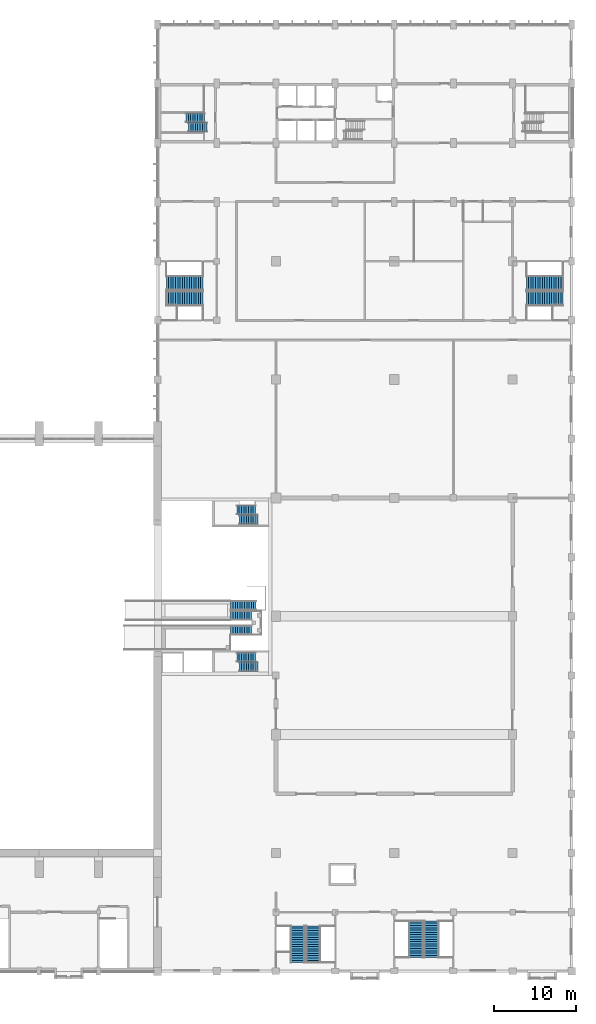
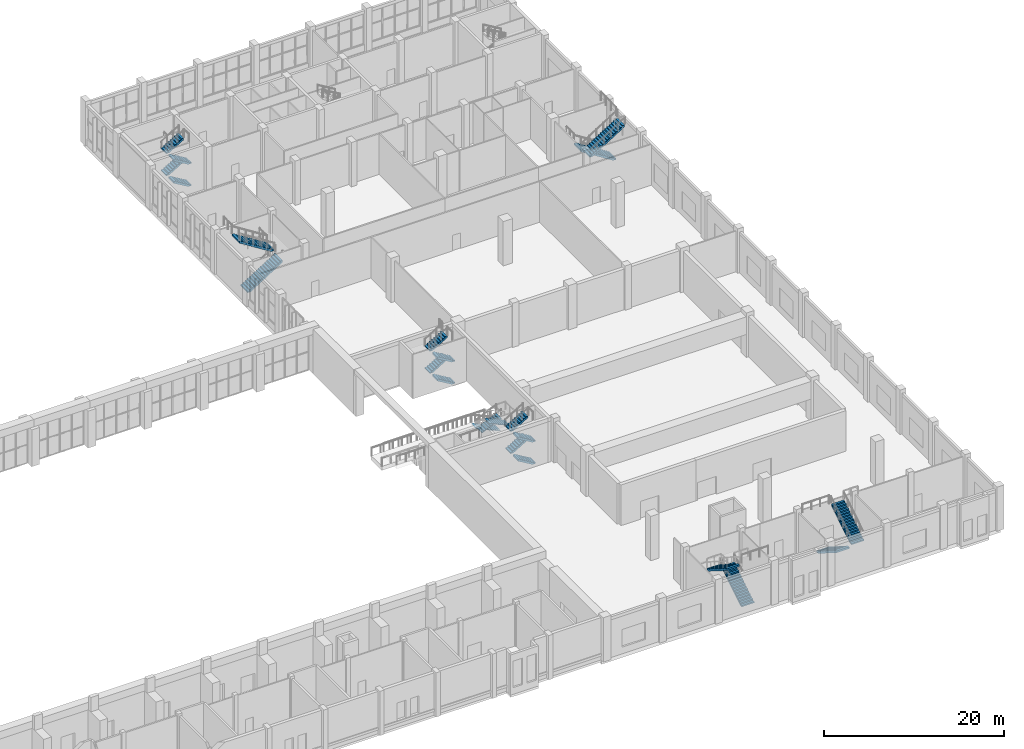
# One storey, part 38 of 44: 23 stair flights, 8 elements without a shape of their own.
"""IFC4 building model written with IfcOpenShell, lengths in metres."""

from ifc_helpers import new_model, si_unit, direction, frame, origin, place, context, subcontext, project, spatial, polyline, outline, extrude, material, type_object, element, aggregate, save


model = new_model("IFC4")

# Units and contexts
model_context = context("Model", 3, precision=1e-05, world=origin(), true_north=direction((0.0, 1.0)))
body_context = subcontext(model_context, "Body", "Model", "MODEL_VIEW")
ifc_project = project(units=[si_unit("LENGTHUNIT", "METRE"), si_unit("AREAUNIT", "SQUARE_METRE"), si_unit("VOLUMEUNIT", "CUBIC_METRE"), si_unit("PLANEANGLEUNIT", "RADIAN"), si_unit("MASSUNIT", "GRAM", prefix="KILO")], contexts=[model_context])

# Site, building, storey
site_placement = place(None, origin())
site = spatial("IfcSite", under=ifc_project, at=site_placement, CompositionType="ELEMENT")
building_placement = place(site_placement, origin())
building = spatial("IfcBuilding", under=site, at=building_placement, Name="Vermilion Court Aquatics Centre", CompositionType="ELEMENT")
storey_placement = place(building_placement, frame((0.0, 0.0, 6.0)))
storey = spatial("IfcBuildingStorey", under=building, at=storey_placement, Name="L01", CompositionType="ELEMENT", Elevation=6.0)

# Stair, stair flights
ifc_material_1 = material(Name="Concrete 5000 psi", Category="concrete")
stair_type_1 = type_object("IfcStairType", Name="Diving Tower stair 1130", PredefinedType="HALF_TURN_STAIR", material=ifc_material_1)
stair_1_placement = place(storey_placement, origin())
stair_1 = element("IfcStair", 1, at=stair_1_placement, inside=storey, type_object=stair_type_1, Name="Exit stair ST-D1 L01", PredefinedType="HALF_TURN_STAIR")
ifc_material_2 = material(Name="Concrete 5000 psi", Category="concrete")
stair_flight_type_1 = type_object("IfcStairFlightType", Name="Diving Tower stair flight 1130", PredefinedType="STRAIGHT", material=ifc_material_2)
stair_flight_1_placement = place(storey_placement, frame((156.199951171875, 37.06494140625, 0.0), z_axis=(0.0, 0.0, 1.0), x_axis=(-1.0, 0.0, 0.0)))
stair_flight_1 = element("IfcStairFlight", 2, at=stair_flight_1_placement, type_object=stair_flight_type_1, Name="ST-D1 flight 1", NumberOfRisers=9, NumberOfTreads=8, PredefinedType="STRAIGHT", RiserHeight=0.166667, TreadLength=0.28, context=body_context, shape_type="SweptSolid", body=[
    extrude(outline(polyline([(0.0, 0.0), (0.0, 0.166748046875), (0.280029296875, 0.166748046875), (0.280029296875, 0.333251953125), (0.56005859375, 0.333251953125), (0.56005859375, 0.5), (0.840087890625, 0.5), (0.840087890625, 0.666748046875), (1.1201171875, 0.666748046875), (1.1201171875, 0.833251953125), (1.39990234375, 0.833251953125), (1.39990234375, 1.0), (1.679931640625, 1.0), (1.679931640625, 1.166748046875), (1.9599609375, 1.166748046875), (1.9599609375, 1.333251953125), (2.239990234375, 1.333251953125), (2.239990234375, 1.5), (2.239990234375, 1.1005859375), (0.390869140625, 0.0), (0.0, 0.0)])), frame((0.0, 0.56494140625, 0.0), z_axis=(0.0, -1.0, 0.0), x_axis=(1.0, 0.0, 0.0)), (0.0, 0.0, 1.0), 1.1298828125),
])
stair_flight_2_placement = place(storey_placement, frame((153.659912109375, 38.235107421875, 1.5), z_axis=(0.0, 0.0, 1.0), x_axis=(1.0, 0.0, 0.0)))
stair_flight_2 = element("IfcStairFlight", 3, at=stair_flight_2_placement, type_object=stair_flight_type_1, Name="ST-D1 flight 2", NumberOfRisers=9, NumberOfTreads=8, PredefinedType="STRAIGHT", RiserHeight=0.166667, TreadLength=0.28, context=body_context, shape_type="SweptSolid", body=[
    extrude(outline(polyline([(0.0, 0.0), (0.0, 0.166748046875), (0.280029296875, 0.166748046875), (0.280029296875, 0.333251953125), (0.56005859375, 0.333251953125), (0.56005859375, 0.5), (0.840087890625, 0.5), (0.840087890625, 0.666748046875), (1.1201171875, 0.666748046875), (1.1201171875, 0.833251953125), (1.39990234375, 0.833251953125), (1.39990234375, 1.0), (1.679931640625, 1.0), (1.679931640625, 1.166748046875), (1.9599609375, 1.166748046875), (1.9599609375, 1.333251953125), (2.239990234375, 1.333251953125), (2.239990234375, 1.5), (2.239990234375, 1.1005859375), (0.390869140625, 0.0), (0.0, 0.0)])), frame((0.0, 0.56494140625, 0.0), z_axis=(0.0, -1.0, 0.0), x_axis=(1.0, 0.0, 0.0)), (0.0, 0.0, 1.0), 1.1298828125),
])
stair_flight_3_placement = place(storey_placement, frame((156.199951171875, 37.06494140625, 3.0), z_axis=(0.0, 0.0, 1.0), x_axis=(-1.0, 0.0, 0.0)))
stair_flight_3 = element("IfcStairFlight", 4, at=stair_flight_3_placement, type_object=stair_flight_type_1, Name="ST-D1 flight 3", NumberOfRisers=9, NumberOfTreads=8, PredefinedType="STRAIGHT", RiserHeight=0.166667, TreadLength=0.28, context=body_context, shape_type="SweptSolid", body=[
    extrude(outline(polyline([(0.0, 0.0), (0.0, 0.166748046875), (0.280029296875, 0.166748046875), (0.280029296875, 0.333251953125), (0.56005859375, 0.333251953125), (0.56005859375, 0.5), (0.840087890625, 0.5), (0.840087890625, 0.666748046875), (1.1201171875, 0.666748046875), (1.1201171875, 0.833251953125), (1.39990234375, 0.833251953125), (1.39990234375, 1.0), (1.679931640625, 1.0), (1.679931640625, 1.166748046875), (1.9599609375, 1.166748046875), (1.9599609375, 1.333251953125), (2.239990234375, 1.333251953125), (2.239990234375, 1.5), (2.239990234375, 1.1005859375), (0.390869140625, 0.0), (0.0, 0.0)])), frame((0.0, 0.56494140625, 0.0), z_axis=(0.0, -1.0, 0.0), x_axis=(1.0, 0.0, 0.0)), (0.0, 0.0, 1.0), 1.1298828125),
])
stair_flight_4_placement = place(storey_placement, frame((153.659912109375, 38.235107421875, 4.5), z_axis=(0.0, 0.0, 1.0), x_axis=(1.0, 0.0, 0.0)))
stair_flight_4 = element("IfcStairFlight", 5, at=stair_flight_4_placement, type_object=stair_flight_type_1, Name="ST-D1 flight 4", NumberOfRisers=9, NumberOfTreads=8, PredefinedType="STRAIGHT", RiserHeight=0.166667, TreadLength=0.28, context=body_context, shape_type="SweptSolid", body=[
    extrude(outline(polyline([(0.0, 0.0), (0.0, 0.166748046875), (0.280029296875, 0.166748046875), (0.280029296875, 0.333251953125), (0.56005859375, 0.333251953125), (0.56005859375, 0.5), (0.840087890625, 0.5), (0.840087890625, 0.666748046875), (1.1201171875, 0.666748046875), (1.1201171875, 0.833251953125), (1.39990234375, 0.833251953125), (1.39990234375, 1.0), (1.679931640625, 1.0), (1.679931640625, 1.166748046875), (1.9599609375, 1.166748046875), (1.9599609375, 1.333251953125), (2.239990234375, 1.333251953125), (2.239990234375, 1.5), (2.239990234375, 1.1005859375), (0.390869140625, 0.0), (0.0, 0.0)])), frame((0.0, 0.56494140625, 0.0), z_axis=(0.0, -1.0, 0.0), x_axis=(1.0, 0.0, 0.0)), (0.0, 0.0, 1.0), 1.1298828125),
])
aggregate(stair_1, [stair_flight_1, stair_flight_2, stair_flight_3, stair_flight_4])

stair_2_placement = place(storey_placement, origin())
stair_2 = element("IfcStair", 6, at=stair_2_placement, inside=storey, type_object=stair_type_1, Name="Exit stair ST-D2 L01", PredefinedType="HALF_TURN_STAIR")
stair_flight_5_placement = place(storey_placement, frame((156.199951171875, 54.965087890625, 0.0), z_axis=(0.0, 0.0, 1.0), x_axis=(-1.0, 0.0, 0.0)))
stair_flight_5 = element("IfcStairFlight", 7, at=stair_flight_5_placement, type_object=stair_flight_type_1, Name="ST-D2 flight 1", NumberOfRisers=9, NumberOfTreads=8, PredefinedType="STRAIGHT", RiserHeight=0.166667, TreadLength=0.28, context=body_context, shape_type="SweptSolid", body=[
    extrude(outline(polyline([(0.0, 0.0), (0.0, 0.166748046875), (0.280029296875, 0.166748046875), (0.280029296875, 0.333251953125), (0.56005859375, 0.333251953125), (0.56005859375, 0.5), (0.840087890625, 0.5), (0.840087890625, 0.666748046875), (1.1201171875, 0.666748046875), (1.1201171875, 0.833251953125), (1.39990234375, 0.833251953125), (1.39990234375, 1.0), (1.679931640625, 1.0), (1.679931640625, 1.166748046875), (1.9599609375, 1.166748046875), (1.9599609375, 1.333251953125), (2.239990234375, 1.333251953125), (2.239990234375, 1.5), (2.239990234375, 1.1005859375), (0.390869140625, 0.0), (0.0, 0.0)])), frame((0.0, 0.56494140625, 0.0), z_axis=(0.0, -1.0, 0.0), x_axis=(1.0, 0.0, 0.0)), (0.0, 0.0, 1.0), 1.1298828125),
])
stair_flight_6_placement = place(storey_placement, frame((153.659912109375, 56.135009765625, 1.5), z_axis=(0.0, 0.0, 1.0), x_axis=(1.0, 0.0, 0.0)))
stair_flight_6 = element("IfcStairFlight", 8, at=stair_flight_6_placement, type_object=stair_flight_type_1, Name="ST-D2 flight 2", NumberOfRisers=9, NumberOfTreads=8, PredefinedType="STRAIGHT", RiserHeight=0.166667, TreadLength=0.28, context=body_context, shape_type="SweptSolid", body=[
    extrude(outline(polyline([(0.0, 0.0), (0.0, 0.166748046875), (0.280029296875, 0.166748046875), (0.280029296875, 0.333251953125), (0.56005859375, 0.333251953125), (0.56005859375, 0.5), (0.840087890625, 0.5), (0.840087890625, 0.666748046875), (1.1201171875, 0.666748046875), (1.1201171875, 0.833251953125), (1.39990234375, 0.833251953125), (1.39990234375, 1.0), (1.679931640625, 1.0), (1.679931640625, 1.166748046875), (1.9599609375, 1.166748046875), (1.9599609375, 1.333251953125), (2.239990234375, 1.333251953125), (2.239990234375, 1.5), (2.239990234375, 1.1005859375), (0.390869140625, 0.0), (0.0, 0.0)])), frame((0.0, 0.56494140625, 0.0), z_axis=(0.0, -1.0, 0.0), x_axis=(1.0, 0.0, 0.0)), (0.0, 0.0, 1.0), 1.1298828125),
])
stair_flight_7_placement = place(storey_placement, frame((156.199951171875, 54.965087890625, 3.0), z_axis=(0.0, 0.0, 1.0), x_axis=(-1.0, 0.0, 0.0)))
stair_flight_7 = element("IfcStairFlight", 9, at=stair_flight_7_placement, type_object=stair_flight_type_1, Name="ST-D2 flight 3", NumberOfRisers=9, NumberOfTreads=8, PredefinedType="STRAIGHT", RiserHeight=0.166667, TreadLength=0.28, context=body_context, shape_type="SweptSolid", body=[
    extrude(outline(polyline([(0.0, 0.0), (0.0, 0.166748046875), (0.280029296875, 0.166748046875), (0.280029296875, 0.333251953125), (0.56005859375, 0.333251953125), (0.56005859375, 0.5), (0.840087890625, 0.5), (0.840087890625, 0.666748046875), (1.1201171875, 0.666748046875), (1.1201171875, 0.833251953125), (1.39990234375, 0.833251953125), (1.39990234375, 1.0), (1.679931640625, 1.0), (1.679931640625, 1.166748046875), (1.9599609375, 1.166748046875), (1.9599609375, 1.333251953125), (2.239990234375, 1.333251953125), (2.239990234375, 1.5), (2.239990234375, 1.1005859375), (0.390869140625, 0.0), (0.0, 0.0)])), frame((0.0, 0.56494140625, 0.0), z_axis=(0.0, -1.0, 0.0), x_axis=(1.0, 0.0, 0.0)), (0.0, 0.0, 1.0), 1.1298828125),
])
stair_flight_8_placement = place(storey_placement, frame((153.659912109375, 56.135009765625, 4.5), z_axis=(0.0, 0.0, 1.0), x_axis=(1.0, 0.0, 0.0)))
stair_flight_8 = element("IfcStairFlight", 10, at=stair_flight_8_placement, type_object=stair_flight_type_1, Name="ST-D2 flight 4", NumberOfRisers=9, NumberOfTreads=8, PredefinedType="STRAIGHT", RiserHeight=0.166667, TreadLength=0.28, context=body_context, shape_type="SweptSolid", body=[
    extrude(outline(polyline([(0.0, 0.0), (0.0, 0.166748046875), (0.280029296875, 0.166748046875), (0.280029296875, 0.333251953125), (0.56005859375, 0.333251953125), (0.56005859375, 0.5), (0.840087890625, 0.5), (0.840087890625, 0.666748046875), (1.1201171875, 0.666748046875), (1.1201171875, 0.833251953125), (1.39990234375, 0.833251953125), (1.39990234375, 1.0), (1.679931640625, 1.0), (1.679931640625, 1.166748046875), (1.9599609375, 1.166748046875), (1.9599609375, 1.333251953125), (2.239990234375, 1.333251953125), (2.239990234375, 1.5), (2.239990234375, 1.1005859375), (0.390869140625, 0.0), (0.0, 0.0)])), frame((0.0, 0.56494140625, 0.0), z_axis=(0.0, -1.0, 0.0), x_axis=(1.0, 0.0, 0.0)), (0.0, 0.0, 1.0), 1.1298828125),
])
aggregate(stair_2, [stair_flight_5, stair_flight_6, stair_flight_7, stair_flight_8])

ifc_material_3 = material(Name="Steel ASTM A992 Grade 50", Category="steel")
stair_type_2 = type_object("IfcStairType", Name="Hall diving upper stair", PredefinedType="HALF_TURN_STAIR", material=ifc_material_3)
stair_3_placement = place(storey_placement, origin())
stair_3 = element("IfcStair", 11, at=stair_3_placement, inside=storey, type_object=stair_type_2, Name="Diving tower stair B", PredefinedType="HALF_TURN_STAIR")
ifc_material_4 = material(Name="Steel ASTM A992 Grade 50", Category="steel")
stair_flight_type_2 = type_object("IfcStairFlightType", Name="Hall diving upper flight 10 risers", PredefinedType="STRAIGHT", material=ifc_material_4)
stair_flight_9_placement = place(storey_placement, frame((152.89990234375, 43.300048828125, 1.5), z_axis=(0.0, 0.0, 1.0), x_axis=(1.0, 0.0, 0.0)))
stair_flight_9 = element("IfcStairFlight", 12, at=stair_flight_9_placement, type_object=stair_flight_type_2, Name="HT3 flight 2", NumberOfRisers=10, NumberOfTreads=9, PredefinedType="STRAIGHT", RiserHeight=0.125, TreadLength=0.28, context=body_context, shape_type="SweptSolid", body=[
    extrude(outline(polyline([(0.0, 0.0), (0.0, 0.125), (0.280029296875, 0.125), (0.280029296875, 0.25), (0.56005859375, 0.25), (0.56005859375, 0.375), (0.840087890625, 0.375), (0.840087890625, 0.5), (1.1201171875, 0.5), (1.1201171875, 0.625), (1.39990234375, 0.625), (1.39990234375, 0.75), (1.679931640625, 0.75), (1.679931640625, 0.875), (1.9599609375, 0.875), (1.9599609375, 1.0), (2.239990234375, 1.0), (2.239990234375, 1.125), (2.52001953125, 1.125), (2.52001953125, 1.25), (2.52001953125, 1.0810546875), (0.09814453125, 0.0), (0.0, 0.0)])), frame((0.0, 0.574951171875, 0.0), z_axis=(0.0, -1.0, 0.0), x_axis=(1.0, 0.0, 0.0)), (0.0, 0.0, 1.0), 1.14990234375),
])
stair_flight_10_placement = place(storey_placement, frame((155.419921875, 41.5, 2.75), z_axis=(0.0, 0.0, 1.0), x_axis=(-1.0, 0.0, 0.0)))
stair_flight_10 = element("IfcStairFlight", 13, at=stair_flight_10_placement, type_object=stair_flight_type_2, Name="HT3 flight 3", NumberOfRisers=10, NumberOfTreads=9, PredefinedType="STRAIGHT", RiserHeight=0.125, TreadLength=0.28, context=body_context, shape_type="SweptSolid", body=[
    extrude(outline(polyline([(0.0, 0.0), (0.0, 0.125), (0.280029296875, 0.125), (0.280029296875, 0.25), (0.56005859375, 0.25), (0.56005859375, 0.375), (0.840087890625, 0.375), (0.840087890625, 0.5), (1.1201171875, 0.5), (1.1201171875, 0.625), (1.39990234375, 0.625), (1.39990234375, 0.75), (1.679931640625, 0.75), (1.679931640625, 0.875), (1.9599609375, 0.875), (1.9599609375, 1.0), (2.239990234375, 1.0), (2.239990234375, 1.125), (2.52001953125, 1.125), (2.52001953125, 1.25), (2.52001953125, 1.0810546875), (0.09814453125, 0.0), (0.0, 0.0)])), frame((0.0, 0.574951171875, 0.0), z_axis=(0.0, -1.0, 0.0), x_axis=(1.0, 0.0, 0.0)), (0.0, 0.0, 1.0), 1.14990234375),
])
ifc_material_5 = material(Name="Steel ASTM A992 Grade 50", Category="steel")
stair_flight_type_3 = type_object("IfcStairFlightType", Name="Hall diving upper flight 12 risers", PredefinedType="STRAIGHT", material=ifc_material_5)
stair_flight_11_placement = place(storey_placement, frame((155.97998046875, 44.5, 0.0), z_axis=(0.0, 0.0, 1.0), x_axis=(-1.0, 0.0, 0.0)))
stair_flight_11 = element("IfcStairFlight", 14, at=stair_flight_11_placement, type_object=stair_flight_type_3, Name="HT3 flight 1", NumberOfRisers=12, NumberOfTreads=11, PredefinedType="STRAIGHT", RiserHeight=0.125, TreadLength=0.28, context=body_context, shape_type="SweptSolid", body=[
    extrude(outline(polyline([(0.0, 0.0), (0.0, 0.125), (0.280029296875, 0.125), (0.280029296875, 0.25), (0.56005859375, 0.25), (0.56005859375, 0.375), (0.840087890625, 0.375), (0.840087890625, 0.5), (1.1201171875, 0.5), (1.1201171875, 0.625), (1.39990234375, 0.625), (1.39990234375, 0.75), (1.679931640625, 0.75), (1.679931640625, 0.875), (1.9599609375, 0.875), (1.9599609375, 1.0), (2.239990234375, 1.0), (2.239990234375, 1.125), (2.52001953125, 1.125), (2.52001953125, 1.25), (2.800048828125, 1.25), (2.800048828125, 1.375), (3.080078125, 1.375), (3.080078125, 1.5), (3.080078125, 1.3310546875), (0.09814453125, 0.0), (0.0, 0.0)])), frame((0.0, 0.574951171875, 0.0), z_axis=(0.0, -1.0, 0.0), x_axis=(1.0, 0.0, 0.0)), (0.0, 0.0, 1.0), 1.14990234375),
])
aggregate(stair_3, [stair_flight_11, stair_flight_9, stair_flight_10])

ifc_material_6 = material(Name="Concrete 5000 psi", Category="concrete")
stair_type_3 = type_object("IfcStairType", Name="North block exit stair 1130", PredefinedType="HALF_TURN_STAIR", material=ifc_material_6)
stair_4_placement = place(storey_placement, origin())
stair_4 = element("IfcStair", 15, at=stair_4_placement, inside=storey, type_object=stair_type_3, Name="Exit stair ST-T1 L01", PredefinedType="HALF_TURN_STAIR")
ifc_material_7 = material(Name="Concrete 5000 psi", Category="concrete")
stair_flight_type_4 = type_object("IfcStairFlightType", Name="North block stair flight 1130", PredefinedType="STRAIGHT", material=ifc_material_7)
stair_flight_12_placement = place(storey_placement, frame((150.0, 102.695068359375, 0.0), z_axis=(0.0, 0.0, 1.0), x_axis=(-1.0, 0.0, 0.0)))
stair_flight_12 = element("IfcStairFlight", 16, at=stair_flight_12_placement, type_object=stair_flight_type_4, Name="ST-T1 flight 1", NumberOfRisers=9, NumberOfTreads=8, PredefinedType="STRAIGHT", RiserHeight=0.166667, TreadLength=0.28, context=body_context, shape_type="SweptSolid", body=[
    extrude(outline(polyline([(0.0, 0.0), (0.0, 0.166748046875), (0.280029296875, 0.166748046875), (0.280029296875, 0.333251953125), (0.56005859375, 0.333251953125), (0.56005859375, 0.5), (0.840087890625, 0.5), (0.840087890625, 0.666748046875), (1.1201171875, 0.666748046875), (1.1201171875, 0.833251953125), (1.39990234375, 0.833251953125), (1.39990234375, 1.0), (1.679931640625, 1.0), (1.679931640625, 1.166748046875), (1.9599609375, 1.166748046875), (1.9599609375, 1.333251953125), (2.239990234375, 1.333251953125), (2.239990234375, 1.5), (2.239990234375, 1.1005859375), (0.390869140625, 0.0), (0.0, 0.0)])), frame((0.0, 0.56494140625, 0.0), z_axis=(0.0, -1.0, 0.0), x_axis=(1.0, 0.0, 0.0)), (0.0, 0.0, 1.0), 1.1298828125),
])
stair_flight_13_placement = place(storey_placement, frame((147.4599609375, 103.864990234375, 1.5), z_axis=(0.0, 0.0, 1.0), x_axis=(1.0, 0.0, 0.0)))
stair_flight_13 = element("IfcStairFlight", 17, at=stair_flight_13_placement, type_object=stair_flight_type_4, Name="ST-T1 flight 2", NumberOfRisers=9, NumberOfTreads=8, PredefinedType="STRAIGHT", RiserHeight=0.166667, TreadLength=0.28, context=body_context, shape_type="SweptSolid", body=[
    extrude(outline(polyline([(0.0, 0.0), (0.0, 0.166748046875), (0.280029296875, 0.166748046875), (0.280029296875, 0.333251953125), (0.56005859375, 0.333251953125), (0.56005859375, 0.5), (0.840087890625, 0.5), (0.840087890625, 0.666748046875), (1.1201171875, 0.666748046875), (1.1201171875, 0.833251953125), (1.39990234375, 0.833251953125), (1.39990234375, 1.0), (1.679931640625, 1.0), (1.679931640625, 1.166748046875), (1.9599609375, 1.166748046875), (1.9599609375, 1.333251953125), (2.239990234375, 1.333251953125), (2.239990234375, 1.5), (2.239990234375, 1.1005859375), (0.390869140625, 0.0), (0.0, 0.0)])), frame((0.0, 0.56494140625, 0.0), z_axis=(0.0, -1.0, 0.0), x_axis=(1.0, 0.0, 0.0)), (0.0, 0.0, 1.0), 1.1298828125),
])
stair_flight_14_placement = place(storey_placement, frame((150.0, 102.695068359375, 3.0), z_axis=(0.0, 0.0, 1.0), x_axis=(-1.0, 0.0, 0.0)))
stair_flight_14 = element("IfcStairFlight", 18, at=stair_flight_14_placement, type_object=stair_flight_type_4, Name="ST-T1 flight 3", NumberOfRisers=9, NumberOfTreads=8, PredefinedType="STRAIGHT", RiserHeight=0.166667, TreadLength=0.28, context=body_context, shape_type="SweptSolid", body=[
    extrude(outline(polyline([(0.0, 0.0), (0.0, 0.166748046875), (0.280029296875, 0.166748046875), (0.280029296875, 0.333251953125), (0.56005859375, 0.333251953125), (0.56005859375, 0.5), (0.840087890625, 0.5), (0.840087890625, 0.666748046875), (1.1201171875, 0.666748046875), (1.1201171875, 0.833251953125), (1.39990234375, 0.833251953125), (1.39990234375, 1.0), (1.679931640625, 1.0), (1.679931640625, 1.166748046875), (1.9599609375, 1.166748046875), (1.9599609375, 1.333251953125), (2.239990234375, 1.333251953125), (2.239990234375, 1.5), (2.239990234375, 1.1005859375), (0.390869140625, 0.0), (0.0, 0.0)])), frame((0.0, 0.56494140625, 0.0), z_axis=(0.0, -1.0, 0.0), x_axis=(1.0, 0.0, 0.0)), (0.0, 0.0, 1.0), 1.1298828125),
])
stair_flight_15_placement = place(storey_placement, frame((147.4599609375, 103.864990234375, 4.5), z_axis=(0.0, 0.0, 1.0), x_axis=(1.0, 0.0, 0.0)))
stair_flight_15 = element("IfcStairFlight", 19, at=stair_flight_15_placement, type_object=stair_flight_type_4, Name="ST-T1 flight 4", NumberOfRisers=9, NumberOfTreads=8, PredefinedType="STRAIGHT", RiserHeight=0.166667, TreadLength=0.28, context=body_context, shape_type="SweptSolid", body=[
    extrude(outline(polyline([(0.0, 0.0), (0.0, 0.166748046875), (0.280029296875, 0.166748046875), (0.280029296875, 0.333251953125), (0.56005859375, 0.333251953125), (0.56005859375, 0.5), (0.840087890625, 0.5), (0.840087890625, 0.666748046875), (1.1201171875, 0.666748046875), (1.1201171875, 0.833251953125), (1.39990234375, 0.833251953125), (1.39990234375, 1.0), (1.679931640625, 1.0), (1.679931640625, 1.166748046875), (1.9599609375, 1.166748046875), (1.9599609375, 1.333251953125), (2.239990234375, 1.333251953125), (2.239990234375, 1.5), (2.239990234375, 1.1005859375), (0.390869140625, 0.0), (0.0, 0.0)])), frame((0.0, 0.56494140625, 0.0), z_axis=(0.0, -1.0, 0.0), x_axis=(1.0, 0.0, 0.0)), (0.0, 0.0, 1.0), 1.1298828125),
])
aggregate(stair_4, [stair_flight_12, stair_flight_13, stair_flight_14, stair_flight_15])

ifc_material_8 = material(Name="Concrete 5000 psi", Category="concrete")
stair_type_4 = type_object("IfcStairType", Name="Podium exit stair 1600 clear, two flights", PredefinedType="TWO_STRAIGHT_RUN_STAIR", material=ifc_material_8)
stair_5_placement = place(storey_placement, origin())
stair_5 = element("IfcStair", 20, at=stair_5_placement, inside=storey, type_object=stair_type_4, Name="Exit stair P1", PredefinedType="TWO_STRAIGHT_RUN_STAIR")
ifc_material_9 = material(Name="Concrete 5000 psi", Category="concrete")
stair_flight_type_5 = type_object("IfcStairFlightType", Name="Podium exit stair flight 1600", PredefinedType="STRAIGHT", material=ifc_material_9)
stair_flight_16_placement = place(storey_placement, frame((162.93994140625, 1.0625, 0.0), z_axis=(0.0, 0.0, 1.0), x_axis=(0.0, 1.0, 0.0)))
stair_flight_16 = element("IfcStairFlight", 21, at=stair_flight_16_placement, type_object=stair_flight_type_5, Name="ST-P1 flight 1", NumberOfRisers=17, NumberOfTreads=16, PredefinedType="STRAIGHT", RiserHeight=0.176470588, TreadLength=0.2795, context=body_context, shape_type="SweptSolid", body=[
    extrude(outline(polyline([(0.0, 0.0), (0.0, 0.176513671875), (0.279541015625, 0.176513671875), (0.279541015625, 0.35302734375), (0.55908203125, 0.35302734375), (0.55908203125, 0.529296875), (0.83837890625, 0.529296875), (0.83837890625, 0.705810546875), (1.117919921875, 0.705810546875), (1.117919921875, 0.88232421875), (1.3974609375, 0.88232421875), (1.3974609375, 1.058837890625), (1.677001953125, 1.058837890625), (1.677001953125, 1.2353515625), (1.95654296875, 1.2353515625), (1.95654296875, 1.411865234375), (2.236083984375, 1.411865234375), (2.236083984375, 1.588134765625), (2.515380859375, 1.588134765625), (2.515380859375, 1.7646484375), (2.794921875, 1.7646484375), (2.794921875, 1.941162109375), (3.074462890625, 1.941162109375), (3.074462890625, 2.11767578125), (3.35400390625, 2.11767578125), (3.35400390625, 2.294189453125), (3.633544921875, 2.294189453125), (3.633544921875, 2.470703125), (3.9130859375, 2.470703125), (3.9130859375, 2.64697265625), (4.1923828125, 2.64697265625), (4.1923828125, 2.823486328125), (4.471923828125, 2.823486328125), (4.471923828125, 3.0), (4.471923828125, 2.587158203125), (0.37451171875, 0.0), (0.0, 0.0)])), frame((0.0, 0.800048828125, 0.0), z_axis=(0.0, -1.0, 0.0), x_axis=(1.0, 0.0, 0.0)), (0.0, 0.0, 1.0), 1.60009765625),
])
stair_flight_17_placement = place(storey_placement, frame((161.06005859375, 5.534423828125, 3.0), z_axis=(0.0, 0.0, 1.0), x_axis=(0.0, -1.0, 0.0)))
stair_flight_17 = element("IfcStairFlight", 22, at=stair_flight_17_placement, type_object=stair_flight_type_5, Name="ST-P1 flight 2", NumberOfRisers=17, NumberOfTreads=16, PredefinedType="STRAIGHT", RiserHeight=0.176470588, TreadLength=0.2795, context=body_context, shape_type="SweptSolid", body=[
    extrude(outline(polyline([(0.0, 0.0), (0.0, 0.176513671875), (0.279541015625, 0.176513671875), (0.279541015625, 0.35302734375), (0.55908203125, 0.35302734375), (0.55908203125, 0.529296875), (0.83837890625, 0.529296875), (0.83837890625, 0.705810546875), (1.117919921875, 0.705810546875), (1.117919921875, 0.88232421875), (1.3974609375, 0.88232421875), (1.3974609375, 1.058837890625), (1.677001953125, 1.058837890625), (1.677001953125, 1.2353515625), (1.95654296875, 1.2353515625), (1.95654296875, 1.411865234375), (2.236083984375, 1.411865234375), (2.236083984375, 1.588134765625), (2.515380859375, 1.588134765625), (2.515380859375, 1.7646484375), (2.794921875, 1.7646484375), (2.794921875, 1.941162109375), (3.074462890625, 1.941162109375), (3.074462890625, 2.11767578125), (3.35400390625, 2.11767578125), (3.35400390625, 2.294189453125), (3.633544921875, 2.294189453125), (3.633544921875, 2.470703125), (3.9130859375, 2.470703125), (3.9130859375, 2.64697265625), (4.1923828125, 2.64697265625), (4.1923828125, 2.823486328125), (4.471923828125, 2.823486328125), (4.471923828125, 3.0), (4.471923828125, 2.587158203125), (0.37451171875, 0.0), (0.0, 0.0)])), frame((0.0, 0.800048828125, 0.0), z_axis=(0.0, -1.0, 0.0), x_axis=(1.0, 0.0, 0.0)), (0.0, 0.0, 1.0), 1.60009765625),
])
aggregate(stair_5, [stair_flight_16, stair_flight_17])

stair_6_placement = place(storey_placement, origin())
stair_6 = element("IfcStair", 23, at=stair_6_placement, inside=storey, type_object=stair_type_4, Name="Exit stair P2", PredefinedType="TWO_STRAIGHT_RUN_STAIR")
stair_flight_18_placement = place(storey_placement, frame((175.4599609375, 6.137451171875, 0.0), z_axis=(0.0, 0.0, 1.0), x_axis=(0.0, -1.0, 0.0)))
stair_flight_18 = element("IfcStairFlight", 24, at=stair_flight_18_placement, type_object=stair_flight_type_5, Name="ST-P2 flight 1", NumberOfRisers=17, NumberOfTreads=16, PredefinedType="STRAIGHT", RiserHeight=0.176470588, TreadLength=0.2795, context=body_context, shape_type="SweptSolid", body=[
    extrude(outline(polyline([(0.0, 0.0), (0.0, 0.176513671875), (0.279541015625, 0.176513671875), (0.279541015625, 0.35302734375), (0.55908203125, 0.35302734375), (0.55908203125, 0.529296875), (0.83837890625, 0.529296875), (0.83837890625, 0.705810546875), (1.117919921875, 0.705810546875), (1.117919921875, 0.88232421875), (1.3974609375, 0.88232421875), (1.3974609375, 1.058837890625), (1.677001953125, 1.058837890625), (1.677001953125, 1.2353515625), (1.95654296875, 1.2353515625), (1.95654296875, 1.411865234375), (2.236083984375, 1.411865234375), (2.236083984375, 1.588134765625), (2.515380859375, 1.588134765625), (2.515380859375, 1.7646484375), (2.794921875, 1.7646484375), (2.794921875, 1.941162109375), (3.074462890625, 1.941162109375), (3.074462890625, 2.11767578125), (3.35400390625, 2.11767578125), (3.35400390625, 2.294189453125), (3.633544921875, 2.294189453125), (3.633544921875, 2.470703125), (3.9130859375, 2.470703125), (3.9130859375, 2.64697265625), (4.1923828125, 2.64697265625), (4.1923828125, 2.823486328125), (4.471923828125, 2.823486328125), (4.471923828125, 3.0), (4.471923828125, 2.587158203125), (0.37451171875, 0.0), (0.0, 0.0)])), frame((0.0, 0.800048828125, 0.0), z_axis=(0.0, -1.0, 0.0), x_axis=(1.0, 0.0, 0.0)), (0.0, 0.0, 1.0), 1.60009765625),
])
stair_flight_19_placement = place(storey_placement, frame((177.340087890625, 1.66552734375, 3.0), z_axis=(0.0, 0.0, 1.0), x_axis=(0.0, 1.0, 0.0)))
stair_flight_19 = element("IfcStairFlight", 25, at=stair_flight_19_placement, type_object=stair_flight_type_5, Name="ST-P2 flight 2", NumberOfRisers=17, NumberOfTreads=16, PredefinedType="STRAIGHT", RiserHeight=0.176470588, TreadLength=0.2795, context=body_context, shape_type="SweptSolid", body=[
    extrude(outline(polyline([(0.0, 0.0), (0.0, 0.176513671875), (0.279541015625, 0.176513671875), (0.279541015625, 0.35302734375), (0.55908203125, 0.35302734375), (0.55908203125, 0.529296875), (0.83837890625, 0.529296875), (0.83837890625, 0.705810546875), (1.117919921875, 0.705810546875), (1.117919921875, 0.88232421875), (1.3974609375, 0.88232421875), (1.3974609375, 1.058837890625), (1.677001953125, 1.058837890625), (1.677001953125, 1.2353515625), (1.95654296875, 1.2353515625), (1.95654296875, 1.411865234375), (2.236083984375, 1.411865234375), (2.236083984375, 1.588134765625), (2.515380859375, 1.588134765625), (2.515380859375, 1.7646484375), (2.794921875, 1.7646484375), (2.794921875, 1.941162109375), (3.074462890625, 1.941162109375), (3.074462890625, 2.11767578125), (3.35400390625, 2.11767578125), (3.35400390625, 2.294189453125), (3.633544921875, 2.294189453125), (3.633544921875, 2.470703125), (3.9130859375, 2.470703125), (3.9130859375, 2.64697265625), (4.1923828125, 2.64697265625), (4.1923828125, 2.823486328125), (4.471923828125, 2.823486328125), (4.471923828125, 3.0), (4.471923828125, 2.587158203125), (0.37451171875, 0.0), (0.0, 0.0)])), frame((0.0, 0.800048828125, 0.0), z_axis=(0.0, -1.0, 0.0), x_axis=(1.0, 0.0, 0.0)), (0.0, 0.0, 1.0), 1.60009765625),
])
aggregate(stair_6, [stair_flight_18, stair_flight_19])

stair_7_placement = place(storey_placement, origin())
stair_7 = element("IfcStair", 26, at=stair_7_placement, inside=storey, type_object=stair_type_4, Name="Exit stair P3", PredefinedType="TWO_STRAIGHT_RUN_STAIR")
stair_flight_20_placement = place(storey_placement, frame((145.0625, 81.860107421875, 0.0), z_axis=(0.0, 0.0, 1.0), x_axis=(1.0, 0.0, 0.0)))
stair_flight_20 = element("IfcStairFlight", 27, at=stair_flight_20_placement, type_object=stair_flight_type_5, Name="ST-P3 flight 1", NumberOfRisers=17, NumberOfTreads=16, PredefinedType="STRAIGHT", RiserHeight=0.176470588, TreadLength=0.2795, context=body_context, shape_type="SweptSolid", body=[
    extrude(outline(polyline([(0.0, 0.0), (0.0, 0.176513671875), (0.279541015625, 0.176513671875), (0.279541015625, 0.35302734375), (0.55908203125, 0.35302734375), (0.55908203125, 0.529296875), (0.83837890625, 0.529296875), (0.83837890625, 0.705810546875), (1.117919921875, 0.705810546875), (1.117919921875, 0.88232421875), (1.3974609375, 0.88232421875), (1.3974609375, 1.058837890625), (1.677001953125, 1.058837890625), (1.677001953125, 1.2353515625), (1.95654296875, 1.2353515625), (1.95654296875, 1.411865234375), (2.236083984375, 1.411865234375), (2.236083984375, 1.588134765625), (2.515380859375, 1.588134765625), (2.515380859375, 1.7646484375), (2.794921875, 1.7646484375), (2.794921875, 1.941162109375), (3.074462890625, 1.941162109375), (3.074462890625, 2.11767578125), (3.35400390625, 2.11767578125), (3.35400390625, 2.294189453125), (3.633544921875, 2.294189453125), (3.633544921875, 2.470703125), (3.9130859375, 2.470703125), (3.9130859375, 2.64697265625), (4.1923828125, 2.64697265625), (4.1923828125, 2.823486328125), (4.471923828125, 2.823486328125), (4.471923828125, 3.0), (4.471923828125, 2.587158203125), (0.37451171875, 0.0), (0.0, 0.0)])), frame((0.0, 0.800048828125, 0.0), z_axis=(0.0, -1.0, 0.0), x_axis=(1.0, 0.0, 0.0)), (0.0, 0.0, 1.0), 1.60009765625),
])
stair_flight_21_placement = place(storey_placement, frame((149.534423828125, 83.739990234375, 3.0), z_axis=(0.0, 0.0, 1.0), x_axis=(-1.0, 0.0, 0.0)))
stair_flight_21 = element("IfcStairFlight", 28, at=stair_flight_21_placement, type_object=stair_flight_type_5, Name="ST-P3 flight 2", NumberOfRisers=17, NumberOfTreads=16, PredefinedType="STRAIGHT", RiserHeight=0.176470588, TreadLength=0.2795, context=body_context, shape_type="SweptSolid", body=[
    extrude(outline(polyline([(0.0, 0.0), (0.0, 0.176513671875), (0.279541015625, 0.176513671875), (0.279541015625, 0.35302734375), (0.55908203125, 0.35302734375), (0.55908203125, 0.529296875), (0.83837890625, 0.529296875), (0.83837890625, 0.705810546875), (1.117919921875, 0.705810546875), (1.117919921875, 0.88232421875), (1.3974609375, 0.88232421875), (1.3974609375, 1.058837890625), (1.677001953125, 1.058837890625), (1.677001953125, 1.2353515625), (1.95654296875, 1.2353515625), (1.95654296875, 1.411865234375), (2.236083984375, 1.411865234375), (2.236083984375, 1.588134765625), (2.515380859375, 1.588134765625), (2.515380859375, 1.7646484375), (2.794921875, 1.7646484375), (2.794921875, 1.941162109375), (3.074462890625, 1.941162109375), (3.074462890625, 2.11767578125), (3.35400390625, 2.11767578125), (3.35400390625, 2.294189453125), (3.633544921875, 2.294189453125), (3.633544921875, 2.470703125), (3.9130859375, 2.470703125), (3.9130859375, 2.64697265625), (4.1923828125, 2.64697265625), (4.1923828125, 2.823486328125), (4.471923828125, 2.823486328125), (4.471923828125, 3.0), (4.471923828125, 2.587158203125), (0.37451171875, 0.0), (0.0, 0.0)])), frame((0.0, 0.800048828125, 0.0), z_axis=(0.0, -1.0, 0.0), x_axis=(1.0, 0.0, 0.0)), (0.0, 0.0, 1.0), 1.60009765625),
])
aggregate(stair_7, [stair_flight_20, stair_flight_21])

stair_8_placement = place(storey_placement, origin())
stair_8 = element("IfcStair", 29, at=stair_8_placement, inside=storey, type_object=stair_type_4, Name="Exit stair P4", PredefinedType="TWO_STRAIGHT_RUN_STAIR")
stair_flight_22_placement = place(storey_placement, frame((193.33740234375, 83.739990234375, 0.0), z_axis=(0.0, 0.0, 1.0), x_axis=(-1.0, 0.0, 0.0)))
stair_flight_22 = element("IfcStairFlight", 30, at=stair_flight_22_placement, type_object=stair_flight_type_5, Name="ST-P4 flight 1", NumberOfRisers=17, NumberOfTreads=16, PredefinedType="STRAIGHT", RiserHeight=0.176470588, TreadLength=0.2795, context=body_context, shape_type="SweptSolid", body=[
    extrude(outline(polyline([(0.0, 0.0), (0.0, 0.176513671875), (0.279541015625, 0.176513671875), (0.279541015625, 0.35302734375), (0.55908203125, 0.35302734375), (0.55908203125, 0.529296875), (0.83837890625, 0.529296875), (0.83837890625, 0.705810546875), (1.117919921875, 0.705810546875), (1.117919921875, 0.88232421875), (1.3974609375, 0.88232421875), (1.3974609375, 1.058837890625), (1.677001953125, 1.058837890625), (1.677001953125, 1.2353515625), (1.95654296875, 1.2353515625), (1.95654296875, 1.411865234375), (2.236083984375, 1.411865234375), (2.236083984375, 1.588134765625), (2.515380859375, 1.588134765625), (2.515380859375, 1.7646484375), (2.794921875, 1.7646484375), (2.794921875, 1.941162109375), (3.074462890625, 1.941162109375), (3.074462890625, 2.11767578125), (3.35400390625, 2.11767578125), (3.35400390625, 2.294189453125), (3.633544921875, 2.294189453125), (3.633544921875, 2.470703125), (3.9130859375, 2.470703125), (3.9130859375, 2.64697265625), (4.1923828125, 2.64697265625), (4.1923828125, 2.823486328125), (4.471923828125, 2.823486328125), (4.471923828125, 3.0), (4.471923828125, 2.587158203125), (0.37451171875, 0.0), (0.0, 0.0)])), frame((0.0, 0.800048828125, 0.0), z_axis=(0.0, -1.0, 0.0), x_axis=(1.0, 0.0, 0.0)), (0.0, 0.0, 1.0), 1.60009765625),
])
stair_flight_23_placement = place(storey_placement, frame((188.865478515625, 81.860107421875, 3.0), z_axis=(0.0, 0.0, 1.0), x_axis=(1.0, 0.0, 0.0)))
stair_flight_23 = element("IfcStairFlight", 31, at=stair_flight_23_placement, type_object=stair_flight_type_5, Name="ST-P4 flight 2", NumberOfRisers=17, NumberOfTreads=16, PredefinedType="STRAIGHT", RiserHeight=0.176470588, TreadLength=0.2795, context=body_context, shape_type="SweptSolid", body=[
    extrude(outline(polyline([(0.0, 0.0), (0.0, 0.176513671875), (0.279541015625, 0.176513671875), (0.279541015625, 0.35302734375), (0.55908203125, 0.35302734375), (0.55908203125, 0.529296875), (0.83837890625, 0.529296875), (0.83837890625, 0.705810546875), (1.117919921875, 0.705810546875), (1.117919921875, 0.88232421875), (1.3974609375, 0.88232421875), (1.3974609375, 1.058837890625), (1.677001953125, 1.058837890625), (1.677001953125, 1.2353515625), (1.95654296875, 1.2353515625), (1.95654296875, 1.411865234375), (2.236083984375, 1.411865234375), (2.236083984375, 1.588134765625), (2.515380859375, 1.588134765625), (2.515380859375, 1.7646484375), (2.794921875, 1.7646484375), (2.794921875, 1.941162109375), (3.074462890625, 1.941162109375), (3.074462890625, 2.11767578125), (3.35400390625, 2.11767578125), (3.35400390625, 2.294189453125), (3.633544921875, 2.294189453125), (3.633544921875, 2.470703125), (3.9130859375, 2.470703125), (3.9130859375, 2.64697265625), (4.1923828125, 2.64697265625), (4.1923828125, 2.823486328125), (4.471923828125, 2.823486328125), (4.471923828125, 3.0), (4.471923828125, 2.587158203125), (0.37451171875, 0.0), (0.0, 0.0)])), frame((0.0, 0.800048828125, 0.0), z_axis=(0.0, -1.0, 0.0), x_axis=(1.0, 0.0, 0.0)), (0.0, 0.0, 1.0), 1.60009765625),
])
aggregate(stair_8, [stair_flight_22, stair_flight_23])

save(model, "model.ifc")
